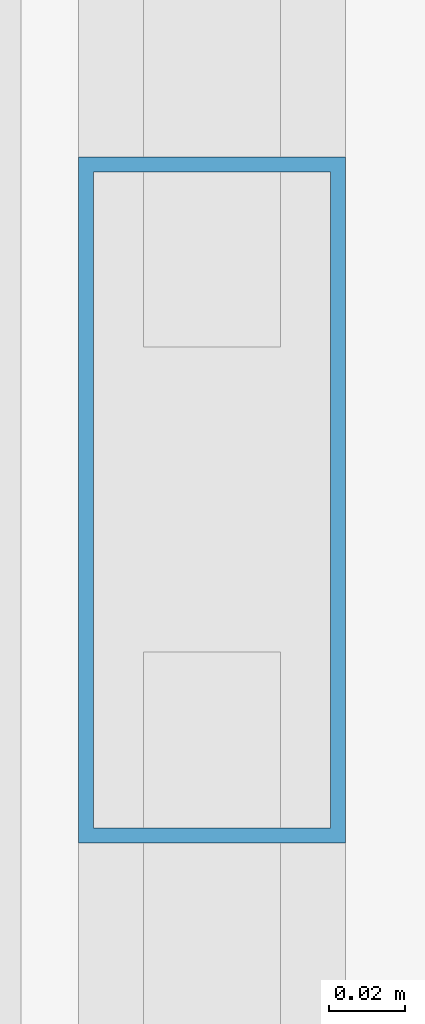
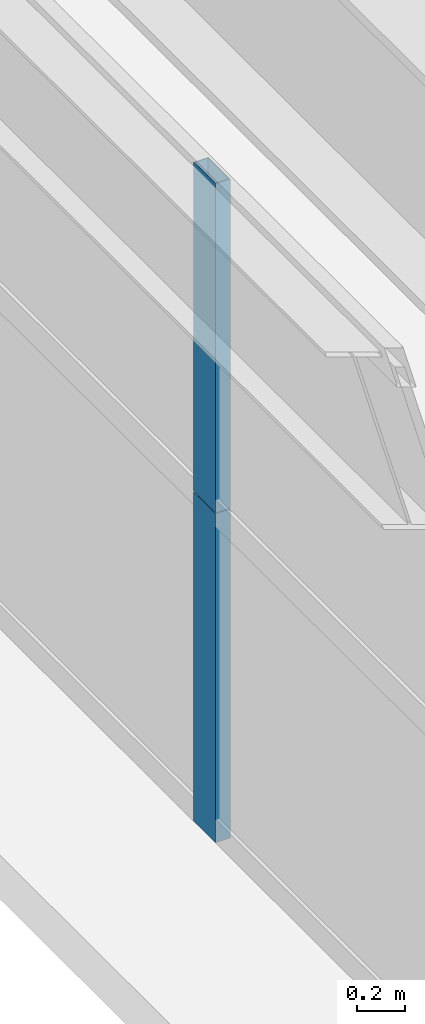
# One storey, part 22 of 44: 2 members, 1 element without a shape of its own.
"""IFC4 building model written with IfcOpenShell, lengths in metres."""

from ifc_helpers import new_model, si_unit, direction, frame, origin, origin_2d, place, context, subcontext, project, spatial, hollow_rectangle, extrude, source, transform, mapped, material, layer, layer_set, material_profile, profile_set, type_object, element, aggregate, save


model = new_model("IFC4")

# Units and contexts
model_context = context("Model", 3, precision=1e-05, world=origin(), true_north=direction((0.0, 1.0)))
body_context = subcontext(model_context, "Body", "Model", "MODEL_VIEW")
ifc_project = project(units=[si_unit("LENGTHUNIT", "METRE"), si_unit("AREAUNIT", "SQUARE_METRE"), si_unit("VOLUMEUNIT", "CUBIC_METRE"), si_unit("PLANEANGLEUNIT", "RADIAN"), si_unit("MASSUNIT", "GRAM", prefix="KILO"), si_unit("THERMODYNAMICTEMPERATUREUNIT", "KELVIN"), si_unit("POWERUNIT", "WATT")], contexts=[model_context])

# Site, building, storey
site_placement = place(None, origin())
site = spatial("IfcSite", under=ifc_project, at=site_placement, CompositionType="ELEMENT")
building_placement = place(site_placement, origin())
building = spatial("IfcBuilding", under=site, at=building_placement, Name="Yuzanri Waterfront Tower", CompositionType="ELEMENT")
storey_placement = place(building_placement, frame((0.0, 0.0, 82.0)))
storey = spatial("IfcBuildingStorey", under=building, at=storey_placement, Name="L21", CompositionType="ELEMENT", Elevation=82.0)

# Curtain wall, members
ifc_material_1 = material(Name="Anodized Architectural Bronze", Category="metal")
ifc_layer = layer(ifc_material_1, 0.159912109375)
ifc_layer_set = layer_set([ifc_layer], Name="Anodized Architectural Bronze")
curtain_wall_type = type_object("IfcCurtainWallType", Name="Anodized Bronze Hotel Lower-Tier Recessed Unitized Curtain Wall 8100", PredefinedType="NOTDEFINED", material=ifc_layer_set)
curtain_wall_placement = place(storey_placement, origin())
curtain_wall = element("IfcCurtainWall", 1, at=curtain_wall_placement, inside=storey, type_object=curtain_wall_type, Name="L21 Curtain Wall CW-L21-WR", PredefinedType="NOTDEFINED")
ifc_material_2 = material(Name="Anodized Architectural Bronze", Category="metal")
ifc_material_profile = material_profile(ifc_material_2, hollow_rectangle(XDim=0.070068359375, YDim=0.179931640625, WallThickness=0.00390625, at=origin_2d()), Name="CWM 70x180")
ifc_profile_set = profile_set([ifc_material_profile], Name="Anodized Architectural Bronze")
member_type = type_object("IfcMemberType", Name="Anodized Bronze Standard Curtain-Wall Mullion 70x180", PredefinedType="MULLION", material=ifc_profile_set)
shared_shape = source(origin(), body_context, "Body", "SweptSolid", [
    extrude(hollow_rectangle(XDim=0.070068359375, YDim=0.179931640625, WallThickness=0.00390625, at=origin_2d()), origin(), (0.0, 0.0, 1.0), 1.657958984375),
])
member_1_placement = place(storey_placement, frame((12.050048828125, 34.89990234375, 0.0), z_axis=(0.0, 0.0, 1.0), x_axis=(1.0, 0.0, 0.0)))
member_1 = element("IfcMember", 2, at=member_1_placement, type_object=member_type, Name="CW-L21-WR Lower Mullion 01", PredefinedType="MULLION", context=body_context, shape_type="MappedRepresentation", body=[
    mapped(shared_shape, transform((0.0, 0.0, 0.0), scale=1.0)),
])
member_2_placement = place(storey_placement, frame((12.050048828125, 34.89990234375, 1.662109375), z_axis=(0.0, 0.0, 1.0), x_axis=(1.0, 0.0, 0.0)))
member_2 = element("IfcMember", 3, at=member_2_placement, type_object=member_type, Name="CW-L21-WR Upper Mullion 01", PredefinedType="MULLION", context=body_context, shape_type="MappedRepresentation", body=[
    mapped(shared_shape, transform((0.0, 0.0, 0.0), scale=1.0)),
])
aggregate(curtain_wall, [member_1, member_2])

save(model, "model.ifc")
